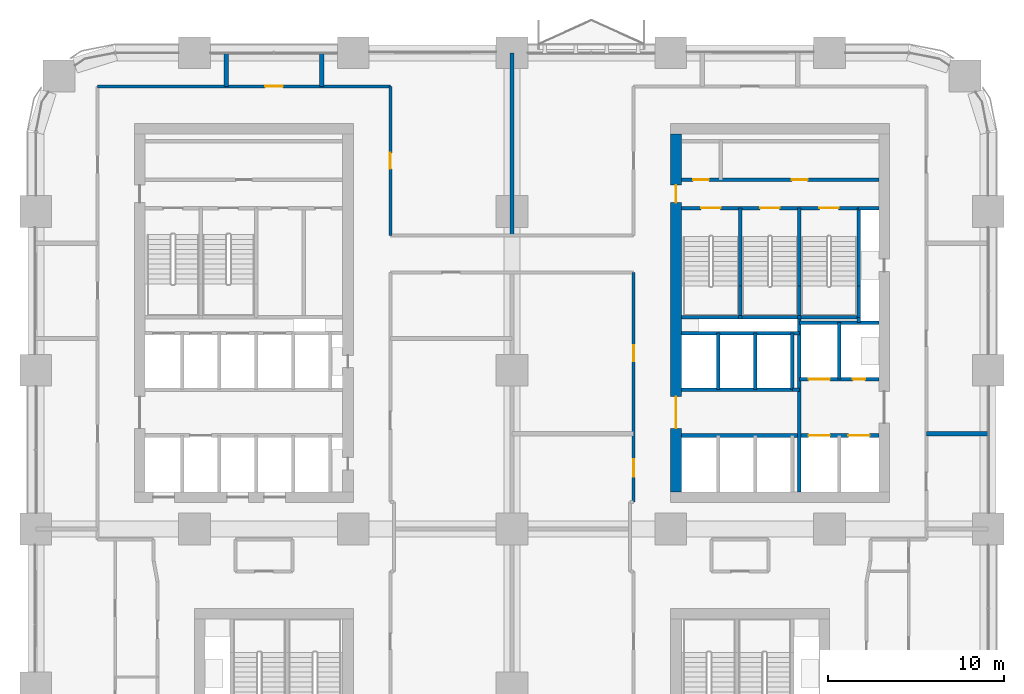
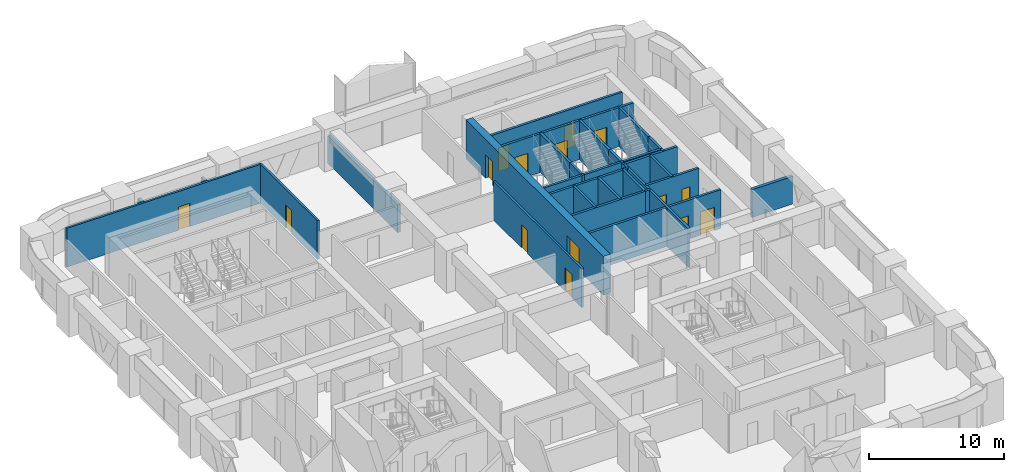
# One storey, part 17 of 22: 34 walls, 15 doors, 15 openings.
"""IFC4 building model written with IfcOpenShell, lengths in metres."""

from ifc_helpers import new_model, si_unit, direction, frame, frame_2d, origin, place, context, subcontext, project, spatial, rectangle, extrude, material, layer, layer_set, type_object, element, fill, save


model = new_model("IFC4")

# Units and contexts
model_context = context("Model", 3, precision=1e-05, world=origin(), true_north=direction((0.0, 1.0)))
body_context = subcontext(model_context, "Body", "Model", "MODEL_VIEW")
ifc_project = project(units=[si_unit("LENGTHUNIT", "METRE"), si_unit("AREAUNIT", "SQUARE_METRE"), si_unit("VOLUMEUNIT", "CUBIC_METRE"), si_unit("PLANEANGLEUNIT", "RADIAN"), si_unit("MASSUNIT", "GRAM", prefix="KILO")], contexts=[model_context])

# Site, building, storey
site_placement = place(None, origin())
site = spatial("IfcSite", under=ifc_project, at=site_placement, CompositionType="ELEMENT")
building_placement = place(site_placement, origin())
building = spatial("IfcBuilding", under=site, at=building_placement, Name="Tessera Arch", CompositionType="ELEMENT")
storey_placement = place(building_placement, frame((0.0, 0.0, 53.800048828125)))
storey = spatial("IfcBuildingStorey", under=building, at=storey_placement, Name="L11", CompositionType="ELEMENT", Elevation=53.800048828125)

# Wall
ifc_material_1 = material(Name="Gypsum board on steel stud", Category="steel")
ifc_layer_1 = layer(ifc_material_1, 0.125)
ifc_layer_set_1 = layer_set([ifc_layer_1], Name="Core partition 125 EI 60")
wall_type_1 = type_object("IfcWallType", Name="Core partition 125 EI 60", PredefinedType="PARTITIONING", material=ifc_layer_set_1)
wall_1_placement = place(storey_placement, frame((42.89990234375, 34.89990234375, 0.0), z_axis=(0.0, 0.0, 1.0), x_axis=(1.0, 0.0, 0.0)))
element("IfcWall", 1, at=wall_1_placement, inside=storey, type_object=wall_type_1, Name="L11 C1 partition wall 19", PredefinedType="PARTITIONING", context=body_context, shape_type="SweptSolid", body=[
    extrude(rectangle(XDim=0.400146484375, YDim=0.199951171875, at=frame_2d((0.2001953125, 0.0))), origin(), (0.0, 0.0, 1.0), 3.5),
])

# Wall, openings, doors
wall_2_placement = place(storey_placement, frame((36.60009765625, 46.800048828125, 0.0), z_axis=(0.0, 0.0, 1.0), x_axis=(1.0, 0.0, 0.0)))
wall_2 = element("IfcWall", 2, at=wall_2_placement, inside=storey, type_object=wall_type_1, Name="L11 C1 partition wall 31", PredefinedType="PARTITIONING", context=body_context, shape_type="SweptSolid", body=[
    extrude(rectangle(XDim=11.199951171875, YDim=0.199951171875, at=frame_2d((5.60009765625, 0.0))), origin(), (0.0, 0.0, 1.0), 3.5),
])
opening_1_placement = place(wall_2_placement, frame((0.669921875, 0.0, 0.0)))
opening_1 = element("IfcOpeningElement", 3, at=opening_1_placement, cuts=wall_2, Name="Opening L11-C12", PredefinedType="OPENING", context=body_context, shape_type="SweptSolid", body=[
    extrude(rectangle(XDim=0.89990234375, YDim=2.10009765625, at=frame_2d((0.449951171875, 1.050048828125))), frame((0.0, 0.10986328125, 0.0), z_axis=(0.0, -1.0, 0.0), x_axis=(1.0, 0.0, 0.0)), (0.0, 0.0, 1.0), 0.219970703125),
])
opening_2_placement = place(wall_2_placement, frame((6.27001953125, 0.0, 0.0)))
opening_2 = element("IfcOpeningElement", 4, at=opening_2_placement, cuts=wall_2, Name="Opening L11-C13", PredefinedType="OPENING", context=body_context, shape_type="SweptSolid", body=[
    extrude(rectangle(XDim=0.89990234375, YDim=2.10009765625, at=frame_2d((0.449951171875, 1.050048828125))), frame((0.0, 0.10986328125, 0.0), z_axis=(0.0, -1.0, 0.0), x_axis=(1.0, 0.0, 0.0)), (0.0, 0.0, 1.0), 0.219970703125),
])
ifc_material_2 = material(Name="Steel door leaf", Category="steel")
door_type_1 = type_object("IfcDoorType", Name="Store door FD30S 900 x 2100", OperationType="SINGLE_SWING_LEFT", PredefinedType="DOOR", material=ifc_material_2)
door_1_placement = place(opening_1_placement, origin())
door_1 = element("IfcDoor", 5, at=door_1_placement, inside=storey, type_object=door_type_1, Name="L11 C1 door 12 C12 type D09", OperationType="SINGLE_SWING_LEFT", OverallHeight=2.10009765625, OverallWidth=0.89990234375, PredefinedType="DOOR", context=body_context, shape_type="SweptSolid", body=[
    extrude(rectangle(XDim=0.89990234375, YDim=2.10009765625, at=frame_2d((0.449951171875, 1.050048828125))), frame((0.0, 0.02490234375, 0.0), z_axis=(0.0, -1.0, 0.0), x_axis=(1.0, 0.0, 0.0)), (0.0, 0.0, 1.0), 0.050048828125),
])
fill(opening_1, door_1)
door_2_placement = place(opening_2_placement, origin())
door_2 = element("IfcDoor", 6, at=door_2_placement, inside=storey, type_object=door_type_1, Name="L11 C1 door 13 C13 type D09", OperationType="SINGLE_SWING_RIGHT", OverallHeight=2.10009765625, OverallWidth=0.89990234375, PredefinedType="DOOR", context=body_context, shape_type="SweptSolid", body=[
    extrude(rectangle(XDim=0.89990234375, YDim=2.10009765625, at=frame_2d((0.449951171875, 1.050048828125))), frame((0.0, 0.02490234375, 0.0), z_axis=(0.0, -1.0, 0.0), x_axis=(1.0, 0.0, 0.0)), (0.0, 0.0, 1.0), 0.050048828125),
])
fill(opening_2, door_2)

ifc_material_3 = material(Name="Concrete C70/85", Category="concrete")
ifc_layer_2 = layer(ifc_material_3, 0.60009765625)
ifc_layer_set_2 = layer_set([ifc_layer_2], Name="Core shell wall 600 C70-85")
wall_type_2 = type_object("IfcWallType", Name="Core shell wall 600 C70-85", PredefinedType="SHEAR", material=ifc_layer_set_2)
wall_3_placement = place(storey_placement, frame((36.300048828125, 29.10009765625, 0.0), z_axis=(0.0, 0.0, 1.0), x_axis=(0.0, 1.0, 0.0)))
wall_3 = element("IfcWall", 7, at=wall_3_placement, inside=storey, type_object=wall_type_2, Name="L11 C1 core wall W", PredefinedType="SHEAR", context=body_context, shape_type="SweptSolid", body=[
    extrude(rectangle(XDim=20.2998046875, YDim=0.60009765625, at=frame_2d((10.14990234375, 0.0))), origin(), (0.0, 0.0, 1.0), 3.5),
])
opening_3_placement = place(wall_3_placement, frame((3.60009765625, 0.0, 0.0)))
opening_3 = element("IfcOpeningElement", 8, at=opening_3_placement, cuts=wall_3, Name="Opening L11-C04", PredefinedType="OPENING", context=body_context, shape_type="SweptSolid", body=[
    extrude(rectangle(XDim=1.800048828125, YDim=2.10009765625, at=frame_2d((0.89990234375, 1.050048828125))), frame((0.0, 0.31005859375, 0.0), z_axis=(0.0, -1.0, 0.0), x_axis=(1.0, 0.0, 0.0)), (0.0, 0.0, 1.0), 0.6201171875),
])
opening_4_placement = place(wall_3_placement, frame((16.39990234375, 0.0, 0.0)))
opening_4 = element("IfcOpeningElement", 9, at=opening_4_placement, cuts=wall_3, Name="Opening L11-C11", PredefinedType="OPENING", context=body_context, shape_type="SweptSolid", body=[
    extrude(rectangle(XDim=1.0, YDim=2.10009765625, at=frame_2d((0.5, 1.050048828125))), frame((0.0, 0.31005859375, 0.0), z_axis=(0.0, -1.0, 0.0), x_axis=(1.0, 0.0, 0.0)), (0.0, 0.0, 1.0), 0.6201171875),
])
ifc_material_4 = material(Name="Steel door leaf", Category="steel")
door_type_2 = type_object("IfcDoorType", Name="Corridor door FD60 1000 x 2100", OperationType="SINGLE_SWING_LEFT", PredefinedType="DOOR", material=ifc_material_4)
door_3_placement = place(opening_4_placement, origin())
door_3 = element("IfcDoor", 10, at=door_3_placement, inside=storey, type_object=door_type_2, Name="L11 C1 door 11 C11 type D12", OperationType="SINGLE_SWING_RIGHT", OverallHeight=2.10009765625, OverallWidth=1.0, PredefinedType="DOOR", context=body_context, shape_type="SweptSolid", body=[
    extrude(rectangle(XDim=1.0, YDim=2.10009765625, at=frame_2d((0.5, 1.050048828125))), frame((0.0, 0.02490234375, 0.0), z_axis=(0.0, -1.0, 0.0), x_axis=(1.0, 0.0, 0.0)), (0.0, 0.0, 1.0), 0.050048828125),
])
fill(opening_4, door_3)
ifc_material_5 = material(Name="Glazed steel door leaf", Category="steel")
door_type_3 = type_object("IfcDoorType", Name="Lobby double door FD30S 1800 x 2100", OperationType="DOUBLE_DOOR_SINGLE_SWING", PredefinedType="DOOR", material=ifc_material_5)
door_4_placement = place(opening_3_placement, origin())
door_4 = element("IfcDoor", 11, at=door_4_placement, inside=storey, type_object=door_type_3, Name="L11 C1 door 4 C04 type D06", OperationType="DOUBLE_DOOR_SINGLE_SWING", OverallHeight=2.10009765625, OverallWidth=1.800048828125, PredefinedType="DOOR", context=body_context, shape_type="SweptSolid", body=[
    extrude(rectangle(XDim=1.800048828125, YDim=2.10009765625, at=frame_2d((0.89990234375, 1.050048828125))), frame((0.0, 0.02490234375, 0.0), z_axis=(0.0, -1.0, 0.0), x_axis=(1.0, 0.0, 0.0)), (0.0, 0.0, 1.0), 0.050048828125),
])
fill(opening_3, door_4)

# Wall, opening, door
ifc_material_6 = material(Name="Gypsum board on deep steel stud with mineral wool", Category="steel")
ifc_layer_3 = layer(ifc_material_6, 0.175048828125)
ifc_layer_set_3 = layer_set([ifc_layer_3], Name="Corridor wall 175 EI 60")
wall_type_3 = type_object("IfcWallType", Name="Corridor wall 175 EI 60", PredefinedType="PARTITIONING", material=ifc_layer_set_3)
wall_4_placement = place(storey_placement, frame((3.5, 52.10009765625, 0.0), z_axis=(0.0, 0.0, 1.0), x_axis=(1.0, 0.0, 0.0)))
wall_4 = element("IfcWall", 12, at=wall_4_placement, inside=storey, type_object=wall_type_3, Name="L11 partition 17", PredefinedType="PARTITIONING", context=body_context, shape_type="SweptSolid", body=[
    extrude(rectangle(XDim=16.60009765625, YDim=0.175048828125, at=frame_2d((8.300048828125, 0.0))), origin(), (0.0, 0.0, 1.0), 3.5),
])
opening_5_placement = place(wall_4_placement, frame((9.5, 0.0, 0.0)))
opening_5 = element("IfcOpeningElement", 13, at=opening_5_placement, cuts=wall_4, Name="Opening L11-D036", PredefinedType="OPENING", context=body_context, shape_type="SweptSolid", body=[
    extrude(rectangle(XDim=1.0, YDim=2.10009765625, at=frame_2d((0.5, 1.050048828125))), frame((0.0, 0.097412109375, 0.0), z_axis=(0.0, -1.0, 0.0), x_axis=(1.0, 0.0, 0.0)), (0.0, 0.0, 1.0), 0.195068359375),
])
ifc_material_7 = material(Name="Fire-rated door leaf")
door_type_4 = type_object("IfcDoorType", Name="Entrance door FD30S 1000 x 2100", OperationType="SINGLE_SWING_LEFT", PredefinedType="DOOR", material=ifc_material_7)
door_5_placement = place(opening_5_placement, origin())
door_5 = element("IfcDoor", 14, at=door_5_placement, inside=storey, type_object=door_type_4, Name="L11 door D036 type D03", OperationType="SINGLE_SWING_RIGHT", OverallHeight=2.10009765625, OverallWidth=1.0, PredefinedType="DOOR", context=body_context, shape_type="SweptSolid", body=[
    extrude(rectangle(XDim=1.0, YDim=2.10009765625, at=frame_2d((0.5, 1.050048828125))), frame((0.0, 0.02490234375, 0.0), z_axis=(0.0, -1.0, 0.0), x_axis=(1.0, 0.0, 0.0)), (0.0, 0.0, 1.0), 0.050048828125),
])
fill(opening_5, door_5)

wall_5_placement = place(storey_placement, frame((20.10009765625, 43.64990234375, 0.0), z_axis=(0.0, 0.0, 1.0), x_axis=(0.0, 1.0, 0.0)))
wall_5 = element("IfcWall", 15, at=wall_5_placement, inside=storey, type_object=wall_type_3, Name="L11 partition 27", PredefinedType="PARTITIONING", context=body_context, shape_type="SweptSolid", body=[
    extrude(rectangle(XDim=8.4501953125, YDim=0.175048828125, at=frame_2d((4.22509765625, 0.0))), origin(), (0.0, 0.0, 1.0), 3.5),
])
opening_6_placement = place(wall_5_placement, frame((3.77490234375, 0.0, 0.0)))
opening_6 = element("IfcOpeningElement", 16, at=opening_6_placement, cuts=wall_5, Name="Opening L11-D032", PredefinedType="OPENING", context=body_context, shape_type="SweptSolid", body=[
    extrude(rectangle(XDim=0.89990234375, YDim=2.10009765625, at=frame_2d((0.449951171875, 1.050048828125))), frame((0.0, 0.097412109375, 0.0), z_axis=(0.0, -1.0, 0.0), x_axis=(1.0, 0.0, 0.0)), (0.0, 0.0, 1.0), 0.195068359375),
])
ifc_material_8 = material(Name="Timber door leaf", Category="wood")
door_type_5 = type_object("IfcDoorType", Name="Room door 900 x 2100", OperationType="SINGLE_SWING_LEFT", PredefinedType="DOOR", material=ifc_material_8)
door_6_placement = place(opening_6_placement, origin())
door_6 = element("IfcDoor", 17, at=door_6_placement, inside=storey, type_object=door_type_5, Name="L11 door D032 type D01", OperationType="SINGLE_SWING_LEFT", OverallHeight=2.10009765625, OverallWidth=0.89990234375, PredefinedType="DOOR", context=body_context, shape_type="SweptSolid", body=[
    extrude(rectangle(XDim=0.89990234375, YDim=2.10009765625, at=frame_2d((0.449951171875, 1.050048828125))), frame((0.0, 0.02490234375, 0.0), z_axis=(0.0, -1.0, 0.0), x_axis=(1.0, 0.0, 0.0)), (0.0, 0.0, 1.0), 0.050048828125),
])
fill(opening_6, door_6)

# Wall, openings, doors
wall_6_placement = place(storey_placement, frame((33.89990234375, 28.52001953125, 0.0), z_axis=(0.0, 0.0, 1.0), x_axis=(0.0, 1.0, 0.0)))
wall_6 = element("IfcWall", 18, at=wall_6_placement, inside=storey, type_object=wall_type_3, Name="L11 partition 32", PredefinedType="PARTITIONING", context=body_context, shape_type="SweptSolid", body=[
    extrude(rectangle(XDim=13.030029296875, YDim=0.175048828125, at=frame_2d((6.51513671875, 0.0))), origin(), (0.0, 0.0, 1.0), 3.5),
])
opening_7_placement = place(wall_6_placement, frame((1.43994140625, 0.0, 0.0)))
opening_7 = element("IfcOpeningElement", 19, at=opening_7_placement, cuts=wall_6, Name="Opening L11-D024", PredefinedType="OPENING", context=body_context, shape_type="SweptSolid", body=[
    extrude(rectangle(XDim=1.0, YDim=2.10009765625, at=frame_2d((0.5, 1.050048828125))), frame((0.0, 0.097412109375, 0.0), z_axis=(0.0, -1.0, 0.0), x_axis=(1.0, 0.0, 0.0)), (0.0, 0.0, 1.0), 0.195068359375),
])
opening_8_placement = place(wall_6_placement, frame((8.0048828125, 0.0, 0.0)))
opening_8 = element("IfcOpeningElement", 20, at=opening_8_placement, cuts=wall_6, Name="Opening L11-D028", PredefinedType="OPENING", context=body_context, shape_type="SweptSolid", body=[
    extrude(rectangle(XDim=0.89990234375, YDim=2.10009765625, at=frame_2d((0.449951171875, 1.050048828125))), frame((0.0, 0.097412109375, 0.0), z_axis=(0.0, -1.0, 0.0), x_axis=(1.0, 0.0, 0.0)), (0.0, 0.0, 1.0), 0.195068359375),
])
door_7_placement = place(opening_7_placement, origin())
door_7 = element("IfcDoor", 21, at=door_7_placement, inside=storey, type_object=door_type_4, Name="L11 door D024 type D03", OperationType="SINGLE_SWING_RIGHT", OverallHeight=2.10009765625, OverallWidth=1.0, PredefinedType="DOOR", context=body_context, shape_type="SweptSolid", body=[
    extrude(rectangle(XDim=1.0, YDim=2.10009765625, at=frame_2d((0.5, 1.050048828125))), frame((0.0, 0.02490234375, 0.0), z_axis=(0.0, -1.0, 0.0), x_axis=(1.0, 0.0, 0.0)), (0.0, 0.0, 1.0), 0.050048828125),
])
fill(opening_7, door_7)
door_8_placement = place(opening_8_placement, origin())
door_8 = element("IfcDoor", 22, at=door_8_placement, inside=storey, type_object=door_type_5, Name="L11 door D028 type D01", OperationType="SINGLE_SWING_RIGHT", OverallHeight=2.10009765625, OverallWidth=0.89990234375, PredefinedType="DOOR", context=body_context, shape_type="SweptSolid", body=[
    extrude(rectangle(XDim=0.89990234375, YDim=2.10009765625, at=frame_2d((0.449951171875, 1.050048828125))), frame((0.0, 0.02490234375, 0.0), z_axis=(0.0, -1.0, 0.0), x_axis=(1.0, 0.0, 0.0)), (0.0, 0.0, 1.0), 0.050048828125),
])
fill(opening_8, door_8)

# Walls
ifc_material_9 = material(Name="Double gypsum board on twin steel stud with acoustic mineral wool", Category="steel")
ifc_layer_4 = layer(ifc_material_9, 0.25)
ifc_layer_set_4 = layer_set([ifc_layer_4], Name="Party wall 250 EI 60")
wall_type_4 = type_object("IfcWallType", Name="Party wall 250 EI 60", PredefinedType="PARTITIONING", material=ifc_layer_set_4)
wall_7_placement = place(storey_placement, frame((50.5, 32.39990234375, 0.0), z_axis=(0.0, 0.0, 1.0), x_axis=(1.0, 0.0, 0.0)))
element("IfcWall", 23, at=wall_7_placement, inside=storey, type_object=wall_type_4, Name="L11 partition 52", PredefinedType="PARTITIONING", context=body_context, shape_type="SweptSolid", body=[
    extrude(rectangle(XDim=3.5, YDim=0.25, at=frame_2d((1.75, 0.0))), origin(), (0.0, 0.0, 1.0), 2.5),
])
for number, where, z_axis, x_axis, name in (
    (24, (10.800048828125, 52.10009765625, 0.0), (0.0, 0.0, 1.0), (0.0, 1.0, 0.0), "L11 partition 58"),
    (25, (16.199951171875, 52.10009765625, 0.0), (0.0, 0.0, 1.0), (0.0, 1.0, 0.0), "L11 partition 60"),
):
    element("IfcWall", number, at=place(storey_placement, frame(where, z_axis=z_axis, x_axis=x_axis)), inside=storey, type_object=wall_type_4, Name=name, PredefinedType="PARTITIONING", context=body_context, shape_type="SweptSolid", body=[
        extrude(rectangle(XDim=1.89990234375, YDim=0.25, at=frame_2d((0.949951171875, 0.0))), origin(), (0.0, 0.0, 1.0), 2.5),
    ])
wall_8_placement = place(storey_placement, frame((27.0, 43.64990234375, 0.0), z_axis=(0.0, 0.0, 1.0), x_axis=(0.0, 1.0, 0.0)))
element("IfcWall", 26, at=wall_8_placement, inside=storey, type_object=wall_type_4, Name="L11 partition 63", PredefinedType="PARTITIONING", context=body_context, shape_type="SweptSolid", body=[
    extrude(rectangle(XDim=10.35009765625, YDim=0.25, at=frame_2d((5.175048828125, 0.0))), origin(), (0.0, 0.0, 1.0), 2.5),
])
ifc_material_10 = material(Name="Concrete C40/50", Category="concrete")
ifc_layer_5 = layer(ifc_material_10, 0.199951171875)
ifc_layer_set_5 = layer_set([ifc_layer_5], Name="Shaft wall 200 EI 120")
wall_type_5 = type_object("IfcWallType", Name="Shaft wall 200 EI 120", PredefinedType="SOLIDWALL", material=ifc_layer_set_5)
for number, where, z_axis, x_axis, name in (
    (27, (38.699951171875, 34.89990234375, 0.0), (0.0, 0.0, 1.0), (0.0, 1.0, 0.0), "L11 C1 shaft wall 2"),
    (28, (40.800048828125, 34.89990234375, 0.0), (0.0, 0.0, 1.0), (0.0, 1.0, 0.0), "L11 C1 shaft wall 7"),
    (29, (42.89990234375, 34.89990234375, 0.0), (0.0, 0.0, 1.0), (0.0, 1.0, 0.0), "L11 C1 shaft wall 9"),
):
    element("IfcWall", number, at=place(storey_placement, frame(where, z_axis=z_axis, x_axis=x_axis)), inside=storey, type_object=wall_type_5, Name=name, PredefinedType="SOLIDWALL", context=body_context, shape_type="SweptSolid", body=[
        extrude(rectangle(XDim=3.2001953125, YDim=0.199951171875, at=frame_2d((1.60009765625, 0.0))), origin(), (0.0, 0.0, 1.0), 3.5),
    ])
wall_9_placement = place(storey_placement, frame((43.300048828125, 29.10009765625, 0.0), z_axis=(0.0, 0.0, 1.0), x_axis=(0.0, 1.0, 0.0)))
element("IfcWall", 30, at=wall_9_placement, inside=storey, type_object=wall_type_5, Name="L11 C1 shaft wall 10", PredefinedType="SOLIDWALL", context=body_context, shape_type="SweptSolid", body=[
    extrude(rectangle(XDim=9.89990234375, YDim=0.199951171875, at=frame_2d((4.949951171875, 0.0))), origin(), (0.0, 0.0, 1.0), 3.5),
])
wall_10_placement = place(storey_placement, frame((45.550048828125, 35.5, 0.0), z_axis=(0.0, 0.0, 1.0), x_axis=(0.0, 1.0, 0.0)))
element("IfcWall", 31, at=wall_10_placement, inside=storey, type_object=wall_type_5, Name="L11 C1 shaft wall 14", PredefinedType="SOLIDWALL", context=body_context, shape_type="SweptSolid", body=[
    extrude(rectangle(XDim=3.199951171875, YDim=0.199951171875, at=frame_2d((1.60009765625, 0.0))), origin(), (0.0, 0.0, 1.0), 3.5),
])
wall_11_placement = place(storey_placement, frame((46.64990234375, 38.699951171875, 0.0), z_axis=(0.0, 0.0, 1.0), x_axis=(0.0, 1.0, 0.0)))
element("IfcWall", 32, at=wall_11_placement, inside=storey, type_object=wall_type_5, Name="L11 C1 shaft wall 15", PredefinedType="SOLIDWALL", context=body_context, shape_type="SweptSolid", body=[
    extrude(rectangle(XDim=0.300048828125, YDim=0.199951171875, at=frame_2d((0.14990234375, 0.0))), origin(), (0.0, 0.0, 1.0), 3.5),
])

# Wall, openings, doors
wall_12_placement = place(storey_placement, frame((36.60009765625, 32.300048828125, 0.0), z_axis=(0.0, 0.0, 1.0), x_axis=(1.0, 0.0, 0.0)))
wall_12 = element("IfcWall", 33, at=wall_12_placement, inside=storey, type_object=wall_type_5, Name="L11 C1 shaft wall 18", PredefinedType="SOLIDWALL", context=body_context, shape_type="SweptSolid", body=[
    extrude(rectangle(XDim=11.199951171875, YDim=0.199951171875, at=frame_2d((5.60009765625, 0.0))), origin(), (0.0, 0.0, 1.0), 3.5),
])
opening_9_placement = place(wall_12_placement, frame((7.22509765625, 0.0, 0.0)))
opening_9 = element("IfcOpeningElement", 34, at=opening_9_placement, cuts=wall_12, Name="Opening L11-C01", PredefinedType="OPENING", context=body_context, shape_type="SweptSolid", body=[
    extrude(rectangle(XDim=1.199951171875, YDim=2.10009765625, at=frame_2d((0.60009765625, 1.050048828125))), frame((0.0, 0.10986328125, 0.0), z_axis=(0.0, -1.0, 0.0), x_axis=(1.0, 0.0, 0.0)), (0.0, 0.0, 1.0), 0.219970703125),
])
opening_10_placement = place(wall_12_placement, frame((9.47509765625, 0.0, 0.0)))
opening_10 = element("IfcOpeningElement", 35, at=opening_10_placement, cuts=wall_12, Name="Opening L11-C02", PredefinedType="OPENING", context=body_context, shape_type="SweptSolid", body=[
    extrude(rectangle(XDim=1.199951171875, YDim=2.10009765625, at=frame_2d((0.60009765625, 1.050048828125))), frame((0.0, 0.10986328125, 0.0), z_axis=(0.0, -1.0, 0.0), x_axis=(1.0, 0.0, 0.0)), (0.0, 0.0, 1.0), 0.219970703125),
])
ifc_material_11 = material(Name="Stainless steel AISI 304", Category="steel")
door_type_6 = type_object("IfcDoorType", Name="Sliding landing door 1200 x 2100", OperationType="SLIDING_TO_LEFT", PredefinedType="DOOR", material=ifc_material_11)
door_9_placement = place(opening_9_placement, origin())
door_9 = element("IfcDoor", 36, at=door_9_placement, inside=storey, type_object=door_type_6, Name="L11 FF1 lift landing door C01 type LD", OperationType="SLIDING_TO_LEFT", OverallHeight=2.10009765625, OverallWidth=1.199951171875, PredefinedType="DOOR", context=body_context, shape_type="SweptSolid", body=[
    extrude(rectangle(XDim=1.199951171875, YDim=2.10009765625, at=frame_2d((0.60009765625, 1.050048828125))), frame((0.0, 0.02490234375, 0.0), z_axis=(0.0, -1.0, 0.0), x_axis=(1.0, 0.0, 0.0)), (0.0, 0.0, 1.0), 0.050048828125),
])
fill(opening_9, door_9)
door_10_placement = place(opening_10_placement, origin())
door_10 = element("IfcDoor", 37, at=door_10_placement, inside=storey, type_object=door_type_6, Name="L11 FF2 lift landing door C02 type LD", OperationType="SLIDING_TO_LEFT", OverallHeight=2.10009765625, OverallWidth=1.199951171875, PredefinedType="DOOR", context=body_context, shape_type="SweptSolid", body=[
    extrude(rectangle(XDim=1.199951171875, YDim=2.10009765625, at=frame_2d((0.60009765625, 1.050048828125))), frame((0.0, 0.02490234375, 0.0), z_axis=(0.0, -1.0, 0.0), x_axis=(1.0, 0.0, 0.0)), (0.0, 0.0, 1.0), 0.050048828125),
])
fill(opening_10, door_10)

# Wall
wall_13_placement = place(storey_placement, frame((36.60009765625, 34.89990234375, 0.0), z_axis=(0.0, 0.0, 1.0), x_axis=(1.0, 0.0, 0.0)))
element("IfcWall", 38, at=wall_13_placement, inside=storey, type_object=wall_type_5, Name="L11 C1 shaft wall 20", PredefinedType="SOLIDWALL", context=body_context, shape_type="SweptSolid", body=[
    extrude(rectangle(XDim=6.2998046875, YDim=0.199951171875, at=frame_2d((3.14990234375, 0.0))), origin(), (0.0, 0.0, 1.0), 3.5),
])

# Wall, openings, doors
wall_14_placement = place(storey_placement, frame((43.300048828125, 35.5, 0.0), z_axis=(0.0, 0.0, 1.0), x_axis=(1.0, 0.0, 0.0)))
wall_14 = element("IfcWall", 39, at=wall_14_placement, inside=storey, type_object=wall_type_5, Name="L11 C1 shaft wall 21", PredefinedType="SOLIDWALL", context=body_context, shape_type="SweptSolid", body=[
    extrude(rectangle(XDim=4.5, YDim=0.199951171875, at=frame_2d((2.25, 0.0))), origin(), (0.0, 0.0, 1.0), 3.5),
])
opening_11_placement = place(wall_14_placement, frame((0.52490234375, 0.0, 0.0)))
opening_11 = element("IfcOpeningElement", 40, at=opening_11_placement, cuts=wall_14, Name="Opening L11-C03", PredefinedType="OPENING", context=body_context, shape_type="SweptSolid", body=[
    extrude(rectangle(XDim=1.199951171875, YDim=2.10009765625, at=frame_2d((0.60009765625, 1.050048828125))), frame((0.0, 0.10986328125, 0.0), z_axis=(0.0, -1.0, 0.0), x_axis=(1.0, 0.0, 0.0)), (0.0, 0.0, 1.0), 0.219970703125),
])
opening_12_placement = place(wall_14_placement, frame((3.02490234375, 0.0, 0.0)))
opening_12 = element("IfcOpeningElement", 41, at=opening_12_placement, cuts=wall_14, Name="Opening L11-C10", PredefinedType="OPENING", context=body_context, shape_type="SweptSolid", body=[
    extrude(rectangle(XDim=0.699951171875, YDim=2.10009765625, at=frame_2d((0.35009765625, 1.050048828125))), frame((0.0, 0.10986328125, 0.0), z_axis=(0.0, -1.0, 0.0), x_axis=(1.0, 0.0, 0.0)), (0.0, 0.0, 1.0), 0.219970703125),
])
ifc_material_12 = material(Name="Steel door leaf", Category="steel")
door_type_7 = type_object("IfcDoorType", Name="Service shaft door FD60 700 x 2100", OperationType="SINGLE_SWING_LEFT", PredefinedType="DOOR", material=ifc_material_12)
door_11_placement = place(opening_12_placement, origin())
door_11 = element("IfcDoor", 42, at=door_11_placement, inside=storey, type_object=door_type_7, Name="L11 C1 door 10 C10 type D07", OperationType="SINGLE_SWING_RIGHT", OverallHeight=2.10009765625, OverallWidth=0.699951171875, PredefinedType="DOOR", context=body_context, shape_type="SweptSolid", body=[
    extrude(rectangle(XDim=0.699951171875, YDim=2.10009765625, at=frame_2d((0.35009765625, 1.050048828125))), frame((0.0, 0.02490234375, 0.0), z_axis=(0.0, -1.0, 0.0), x_axis=(1.0, 0.0, 0.0)), (0.0, 0.0, 1.0), 0.050048828125),
])
fill(opening_12, door_11)
door_12_placement = place(opening_11_placement, origin())
door_12 = element("IfcDoor", 43, at=door_12_placement, inside=storey, type_object=door_type_6, Name="L11 SV2 lift landing door C03 type LD", OperationType="SLIDING_TO_LEFT", OverallHeight=2.10009765625, OverallWidth=1.199951171875, PredefinedType="DOOR", context=body_context, shape_type="SweptSolid", body=[
    extrude(rectangle(XDim=1.199951171875, YDim=2.10009765625, at=frame_2d((0.60009765625, 1.050048828125))), frame((0.0, 0.02490234375, 0.0), z_axis=(0.0, -1.0, 0.0), x_axis=(1.0, 0.0, 0.0)), (0.0, 0.0, 1.0), 0.050048828125),
])
fill(opening_11, door_12)

# Walls
wall_15_placement = place(storey_placement, frame((36.60009765625, 38.10009765625, 0.0), z_axis=(0.0, 0.0, 1.0), x_axis=(1.0, 0.0, 0.0)))
element("IfcWall", 44, at=wall_15_placement, inside=storey, type_object=wall_type_5, Name="L11 C1 shaft wall 22", PredefinedType="SOLIDWALL", context=body_context, shape_type="SweptSolid", body=[
    extrude(rectangle(XDim=6.699951171875, YDim=0.199951171875, at=frame_2d((3.35009765625, 0.0))), origin(), (0.0, 0.0, 1.0), 3.5),
])
wall_16_placement = place(storey_placement, frame((43.300048828125, 38.699951171875, 0.0), z_axis=(0.0, 0.0, 1.0), x_axis=(1.0, 0.0, 0.0)))
element("IfcWall", 45, at=wall_16_placement, inside=storey, type_object=wall_type_5, Name="L11 C1 shaft wall 23", PredefinedType="SOLIDWALL", context=body_context, shape_type="SweptSolid", body=[
    extrude(rectangle(XDim=4.5, YDim=0.199951171875, at=frame_2d((2.25, 0.0))), origin(), (0.0, 0.0, 1.0), 3.5),
])
wall_17_placement = place(storey_placement, frame((46.64990234375, 45.199951171875, 0.0), z_axis=(0.0, 0.0, 1.0), x_axis=(1.0, 0.0, 0.0)))
element("IfcWall", 46, at=wall_17_placement, inside=storey, type_object=wall_type_5, Name="L11 C1 shaft wall 29", PredefinedType="SOLIDWALL", context=body_context, shape_type="SweptSolid", body=[
    extrude(rectangle(XDim=1.150146484375, YDim=0.199951171875, at=frame_2d((0.5751953125, 0.0))), origin(), (0.0, 0.0, 1.0), 3.5),
])
ifc_material_13 = material(Name="Concrete C40/50", Category="concrete")
ifc_layer_6 = layer(ifc_material_13, 0.199951171875)
ifc_layer_set_6 = layer_set([ifc_layer_6], Name="Stair well wall 200 REI 180")
wall_type_6 = type_object("IfcWallType", Name="Stair well wall 200 REI 180", PredefinedType="SOLIDWALL", material=ifc_layer_set_6)
wall_18_placement = place(storey_placement, frame((39.949951171875, 39.0, 0.0), z_axis=(0.0, 0.0, 1.0), x_axis=(0.0, 1.0, 0.0)))
element("IfcWall", 47, at=wall_18_placement, inside=storey, type_object=wall_type_6, Name="L11 C1 shaft wall 4", PredefinedType="SOLIDWALL", context=body_context, shape_type="SweptSolid", body=[
    extrude(rectangle(XDim=1.780029296875, YDim=0.199951171875, at=frame_2d((0.89013671875, 0.0))), origin(), (0.0, 0.0, 1.0), 3.5),
])
wall_19_placement = place(storey_placement, frame((39.949951171875, 40.780029296875, 0.0), z_axis=(0.0, 0.0, 1.0), x_axis=(0.0, 1.0, 0.0)))
element("IfcWall", 48, at=wall_19_placement, inside=storey, type_object=wall_type_6, Name="L11 C1 shaft wall 5", PredefinedType="SOLIDWALL", context=body_context, shape_type="SweptSolid", body=[
    extrude(rectangle(XDim=4.419921875, YDim=0.199951171875, at=frame_2d((2.2099609375, 0.0))), origin(), (0.0, 0.0, 1.0), 3.5),
])
wall_20_placement = place(storey_placement, frame((43.300048828125, 39.0, 0.0), z_axis=(0.0, 0.0, 1.0), x_axis=(0.0, 1.0, 0.0)))
element("IfcWall", 49, at=wall_20_placement, inside=storey, type_object=wall_type_6, Name="L11 C1 shaft wall 11", PredefinedType="SOLIDWALL", context=body_context, shape_type="SweptSolid", body=[
    extrude(rectangle(XDim=1.780029296875, YDim=0.199951171875, at=frame_2d((0.89013671875, 0.0))), origin(), (0.0, 0.0, 1.0), 3.5),
])
wall_21_placement = place(storey_placement, frame((43.300048828125, 40.780029296875, 0.0), z_axis=(0.0, 0.0, 1.0), x_axis=(0.0, 1.0, 0.0)))
element("IfcWall", 50, at=wall_21_placement, inside=storey, type_object=wall_type_6, Name="L11 C1 shaft wall 12", PredefinedType="SOLIDWALL", context=body_context, shape_type="SweptSolid", body=[
    extrude(rectangle(XDim=4.419921875, YDim=0.199951171875, at=frame_2d((2.2099609375, 0.0))), origin(), (0.0, 0.0, 1.0), 3.5),
])
wall_22_placement = place(storey_placement, frame((46.64990234375, 39.0, 0.0), z_axis=(0.0, 0.0, 1.0), x_axis=(0.0, 1.0, 0.0)))
element("IfcWall", 51, at=wall_22_placement, inside=storey, type_object=wall_type_6, Name="L11 C1 shaft wall 16", PredefinedType="SOLIDWALL", context=body_context, shape_type="SweptSolid", body=[
    extrude(rectangle(XDim=1.780029296875, YDim=0.199951171875, at=frame_2d((0.89013671875, 0.0))), origin(), (0.0, 0.0, 1.0), 3.5),
])
wall_23_placement = place(storey_placement, frame((46.64990234375, 40.780029296875, 0.0), z_axis=(0.0, 0.0, 1.0), x_axis=(0.0, 1.0, 0.0)))
element("IfcWall", 52, at=wall_23_placement, inside=storey, type_object=wall_type_6, Name="L11 C1 shaft wall 17", PredefinedType="SOLIDWALL", context=body_context, shape_type="SweptSolid", body=[
    extrude(rectangle(XDim=4.419921875, YDim=0.199951171875, at=frame_2d((2.2099609375, 0.0))), origin(), (0.0, 0.0, 1.0), 3.5),
])
wall_24_placement = place(storey_placement, frame((36.60009765625, 39.0, 0.0), z_axis=(0.0, 0.0, 1.0), x_axis=(1.0, 0.0, 0.0)))
element("IfcWall", 53, at=wall_24_placement, inside=storey, type_object=wall_type_6, Name="L11 C1 shaft wall 24", PredefinedType="SOLIDWALL", context=body_context, shape_type="SweptSolid", body=[
    extrude(rectangle(XDim=3.25, YDim=0.199951171875, at=frame_2d((1.625, 0.0))), origin(), (0.0, 0.0, 1.0), 3.5),
])
wall_25_placement = place(storey_placement, frame((39.85009765625, 39.0, 0.0), z_axis=(0.0, 0.0, 1.0), x_axis=(1.0, 0.0, 0.0)))
element("IfcWall", 54, at=wall_25_placement, inside=storey, type_object=wall_type_6, Name="L11 C1 shaft wall 25", PredefinedType="SOLIDWALL", context=body_context, shape_type="SweptSolid", body=[
    extrude(rectangle(XDim=0.199951171875, YDim=0.199951171875, at=frame_2d((0.10009765625, 0.0))), origin(), (0.0, 0.0, 1.0), 3.5),
])
wall_26_placement = place(storey_placement, frame((40.050048828125, 39.0, 0.0), z_axis=(0.0, 0.0, 1.0), x_axis=(1.0, 0.0, 0.0)))
element("IfcWall", 55, at=wall_26_placement, inside=storey, type_object=wall_type_6, Name="L11 C1 shaft wall 26", PredefinedType="SOLIDWALL", context=body_context, shape_type="SweptSolid", body=[
    extrude(rectangle(XDim=3.14990234375, YDim=0.199951171875, at=frame_2d((1.574951171875, 0.0))), origin(), (0.0, 0.0, 1.0), 3.5),
])
wall_27_placement = place(storey_placement, frame((43.199951171875, 39.0, 0.0), z_axis=(0.0, 0.0, 1.0), x_axis=(1.0, 0.0, 0.0)))
element("IfcWall", 56, at=wall_27_placement, inside=storey, type_object=wall_type_6, Name="L11 C1 shaft wall 27", PredefinedType="SOLIDWALL", context=body_context, shape_type="SweptSolid", body=[
    extrude(rectangle(XDim=0.199951171875, YDim=0.199951171875, at=frame_2d((0.10009765625, 0.0))), origin(), (0.0, 0.0, 1.0), 3.5),
])
wall_28_placement = place(storey_placement, frame((43.39990234375, 39.0, 0.0), z_axis=(0.0, 0.0, 1.0), x_axis=(1.0, 0.0, 0.0)))
element("IfcWall", 57, at=wall_28_placement, inside=storey, type_object=wall_type_6, Name="L11 C1 shaft wall 28", PredefinedType="SOLIDWALL", context=body_context, shape_type="SweptSolid", body=[
    extrude(rectangle(XDim=3.25, YDim=0.199951171875, at=frame_2d((1.625, 0.0))), origin(), (0.0, 0.0, 1.0), 3.5),
])

# Wall, openings, doors
wall_29_placement = place(storey_placement, frame((36.60009765625, 45.199951171875, 0.0), z_axis=(0.0, 0.0, 1.0), x_axis=(1.0, 0.0, 0.0)))
wall_29 = element("IfcWall", 58, at=wall_29_placement, inside=storey, type_object=wall_type_6, Name="L11 C1 shaft wall 30", PredefinedType="SOLIDWALL", context=body_context, shape_type="SweptSolid", body=[
    extrude(rectangle(XDim=10.0498046875, YDim=0.199951171875, at=frame_2d((5.02490234375, 0.0))), origin(), (0.0, 0.0, 1.0), 3.5),
])
opening_13_placement = place(wall_29_placement, frame((1.125, 0.0, 0.0)))
opening_13 = element("IfcOpeningElement", 59, at=opening_13_placement, cuts=wall_29, Name="Opening L11-C05", PredefinedType="OPENING", context=body_context, shape_type="SweptSolid", body=[
    extrude(rectangle(XDim=1.10009765625, YDim=2.10009765625, at=frame_2d((0.550048828125, 1.050048828125))), frame((0.0, 0.10986328125, 0.0), z_axis=(0.0, -1.0, 0.0), x_axis=(1.0, 0.0, 0.0)), (0.0, 0.0, 1.0), 0.219970703125),
])
opening_14_placement = place(wall_29_placement, frame((4.47509765625, 0.0, 0.0)))
opening_14 = element("IfcOpeningElement", 60, at=opening_14_placement, cuts=wall_29, Name="Opening L11-C06", PredefinedType="OPENING", context=body_context, shape_type="SweptSolid", body=[
    extrude(rectangle(XDim=1.10009765625, YDim=2.10009765625, at=frame_2d((0.550048828125, 1.050048828125))), frame((0.0, 0.10986328125, 0.0), z_axis=(0.0, -1.0, 0.0), x_axis=(1.0, 0.0, 0.0)), (0.0, 0.0, 1.0), 0.219970703125),
])
opening_15_placement = place(wall_29_placement, frame((7.824951171875, 0.0, 0.0)))
opening_15 = element("IfcOpeningElement", 61, at=opening_15_placement, cuts=wall_29, Name="Opening L11-C07", PredefinedType="OPENING", context=body_context, shape_type="SweptSolid", body=[
    extrude(rectangle(XDim=1.10009765625, YDim=2.10009765625, at=frame_2d((0.550048828125, 1.050048828125))), frame((0.0, 0.10986328125, 0.0), z_axis=(0.0, -1.0, 0.0), x_axis=(1.0, 0.0, 0.0)), (0.0, 0.0, 1.0), 0.219970703125),
])
ifc_material_14 = material(Name="Steel door leaf", Category="steel")
door_type_8 = type_object("IfcDoorType", Name="Stair door FD60 1100 x 2100", OperationType="SINGLE_SWING_LEFT", PredefinedType="DOOR", material=ifc_material_14)
door_13_placement = place(opening_13_placement, origin())
door_13 = element("IfcDoor", 62, at=door_13_placement, inside=storey, type_object=door_type_8, Name="L11 C1 door 5 C05 type D05", OperationType="SINGLE_SWING_LEFT", OverallHeight=2.10009765625, OverallWidth=1.10009765625, PredefinedType="DOOR", context=body_context, shape_type="SweptSolid", body=[
    extrude(rectangle(XDim=1.10009765625, YDim=2.10009765625, at=frame_2d((0.550048828125, 1.050048828125))), frame((0.0, 0.02490234375, 0.0), z_axis=(0.0, -1.0, 0.0), x_axis=(1.0, 0.0, 0.0)), (0.0, 0.0, 1.0), 0.050048828125),
])
fill(opening_13, door_13)
door_14_placement = place(opening_14_placement, origin())
door_14 = element("IfcDoor", 63, at=door_14_placement, inside=storey, type_object=door_type_8, Name="L11 C1 door 6 C06 type D05", OperationType="SINGLE_SWING_RIGHT", OverallHeight=2.10009765625, OverallWidth=1.10009765625, PredefinedType="DOOR", context=body_context, shape_type="SweptSolid", body=[
    extrude(rectangle(XDim=1.10009765625, YDim=2.10009765625, at=frame_2d((0.550048828125, 1.050048828125))), frame((0.0, 0.02490234375, 0.0), z_axis=(0.0, -1.0, 0.0), x_axis=(1.0, 0.0, 0.0)), (0.0, 0.0, 1.0), 0.050048828125),
])
fill(opening_14, door_14)
door_15_placement = place(opening_15_placement, origin())
door_15 = element("IfcDoor", 64, at=door_15_placement, inside=storey, type_object=door_type_8, Name="L11 C1 door 7 C07 type D05", OperationType="SINGLE_SWING_RIGHT", OverallHeight=2.10009765625, OverallWidth=1.10009765625, PredefinedType="DOOR", context=body_context, shape_type="SweptSolid", body=[
    extrude(rectangle(XDim=1.10009765625, YDim=2.10009765625, at=frame_2d((0.550048828125, 1.050048828125))), frame((0.0, 0.02490234375, 0.0), z_axis=(0.0, -1.0, 0.0), x_axis=(1.0, 0.0, 0.0)), (0.0, 0.0, 1.0), 0.050048828125),
])
fill(opening_15, door_15)

save(model, "model.ifc")
